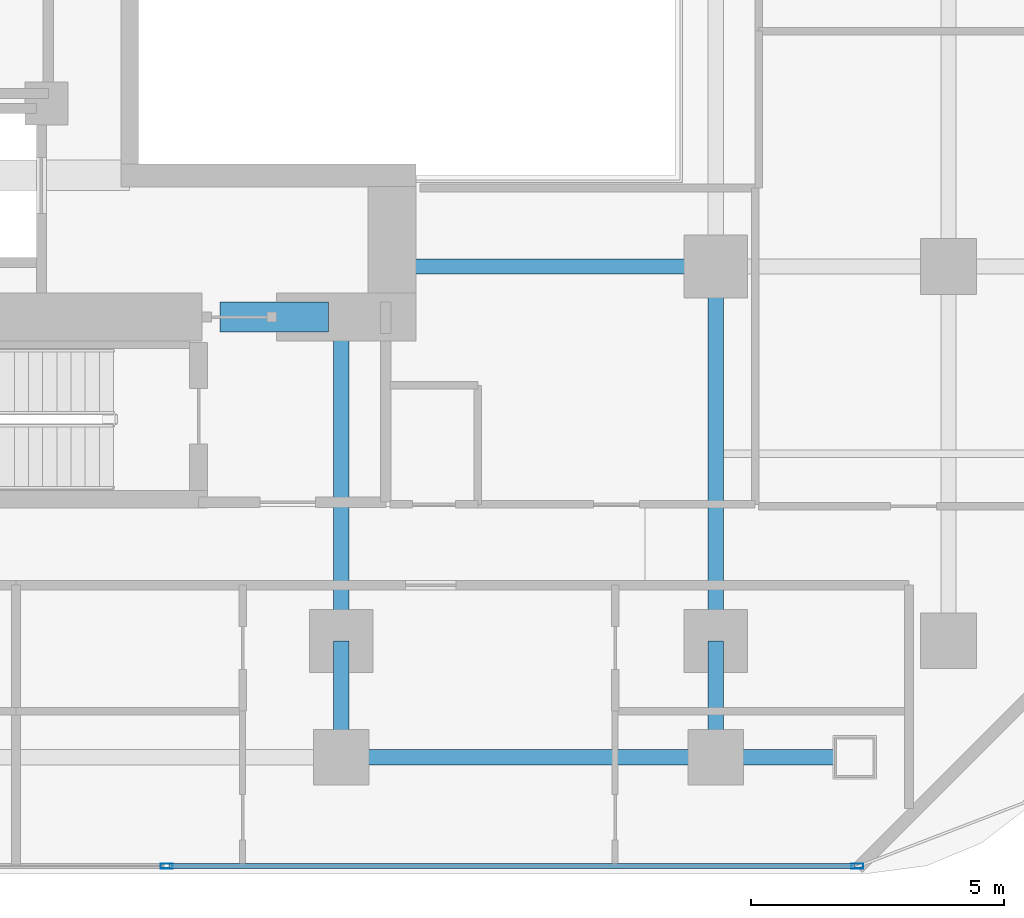
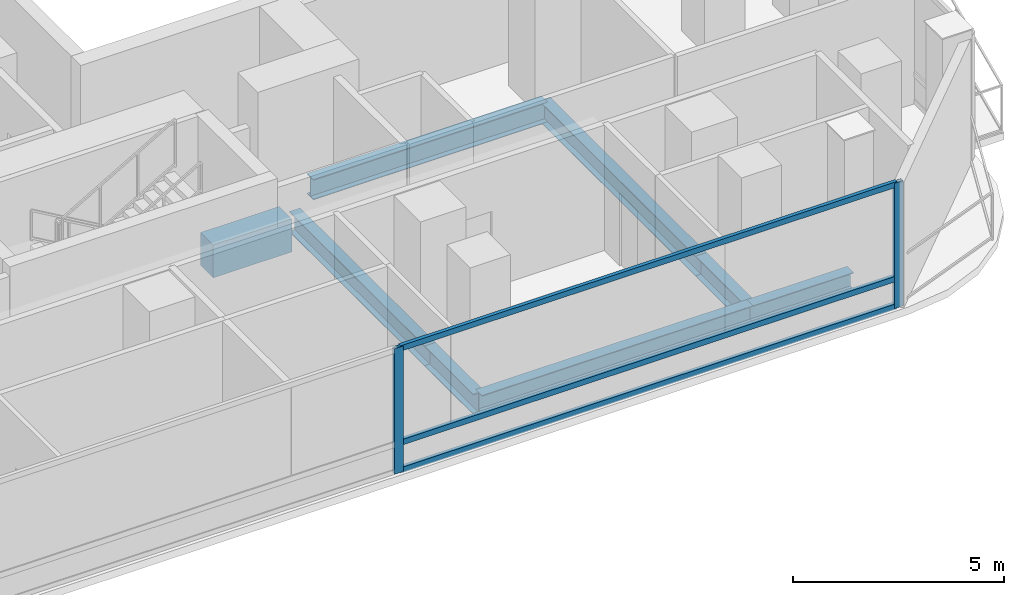
# One storey, part 8 of 28: 8 beams, 5 members, 1 element without a shape of its own.
"""IFC4 building model written with IfcOpenShell, lengths in metres."""

from ifc_helpers import new_model, si_unit, direction, frame, origin, origin_2d, place, context, subcontext, project, spatial, rectangle, hollow_rectangle, i_section, extrude, material, layer, layer_set, material_profile, profile_set, type_object, element, aggregate, save


model = new_model("IFC4")

# Units and contexts
model_context = context("Model", 3, precision=1e-05, world=origin(), true_north=direction((0.0, 1.0)))
body_context = subcontext(model_context, "Body", "Model", "MODEL_VIEW")
ifc_project = project(units=[si_unit("LENGTHUNIT", "METRE"), si_unit("AREAUNIT", "SQUARE_METRE"), si_unit("VOLUMEUNIT", "CUBIC_METRE"), si_unit("PLANEANGLEUNIT", "RADIAN"), si_unit("MASSUNIT", "GRAM", prefix="KILO")], contexts=[model_context])

# Site, building, storey
site_placement = place(None, origin())
site = spatial("IfcSite", under=ifc_project, at=site_placement, CompositionType="ELEMENT")
building_placement = place(site_placement, origin())
building = spatial("IfcBuilding", under=site, at=building_placement, Name="Khorvyn Point Tower", CompositionType="ELEMENT")
storey_placement = place(building_placement, frame((0.0, 0.0, 104.699951171875)))
storey = spatial("IfcBuildingStorey", under=building, at=storey_placement, Name="L26", CompositionType="ELEMENT", Elevation=104.699951171875)

# Curtain wall, members
ifc_material_1 = material(Name="Anodised aluminium 6063-T6 and laminated Low-E glass", Category="aluminium")
ifc_layer = layer(ifc_material_1, 0.18994140625)
ifc_layer_set = layer_set([ifc_layer], Name="Stick-Built Finned Residential Curtain Wall CW-SYS-02")
curtain_wall_type = type_object("IfcCurtainWallType", Name="Stick-Built Finned Residential Curtain Wall CW-SYS-02", PredefinedType="NOTDEFINED", material=ifc_layer_set)
curtain_wall_placement = place(storey_placement, origin())
curtain_wall = element("IfcCurtainWall", 1, at=curtain_wall_placement, inside=storey, type_object=curtain_wall_type, Name="Curtain Wall", PredefinedType="NOTDEFINED")
ifc_material_2 = material(Name="Anodised aluminium 6063-T6", Category="aluminium")
ifc_material_profile_1 = material_profile(ifc_material_2, hollow_rectangle(XDim=0.10009765625, YDim=0.239990234375, WallThickness=0.0048828125, at=origin_2d()))
ifc_profile_set_1 = profile_set([ifc_material_profile_1], Name="Anodised aluminium 6063-T6 ALU-MUL-100x240")
member_type_1 = type_object("IfcMemberType", Name="Anodised Aluminium 6063-T6 Mullion ALU-MUL-100x240", PredefinedType="MULLION", material=ifc_profile_set_1)
member_1_placement = place(storey_placement, frame((17.60009765625, -19.25, 0.0), z_axis=(0.0, 0.0, 1.0), x_axis=(0.0, -1.0, 0.0)))
member_1 = element("IfcMember", 2, at=member_1_placement, type_object=member_type_1, Name="Transom", PredefinedType="MULLION", context=body_context, shape_type="SweptSolid", body=[
    extrude(hollow_rectangle(XDim=0.10009765625, YDim=0.239990234375, WallThickness=0.0048828125, at=origin_2d()), origin(), (0.0, 0.0, 1.0), 3.6201171875),
])
member_2_placement = place(storey_placement, frame((3.949951171875, -19.25, 0.0), z_axis=(0.0, 0.0, 1.0), x_axis=(0.0, -1.0, 0.0)))
member_2 = element("IfcMember", 3, at=member_2_placement, type_object=member_type_1, Name="Transom", PredefinedType="MULLION", context=body_context, shape_type="SweptSolid", body=[
    extrude(hollow_rectangle(XDim=0.10009765625, YDim=0.239990234375, WallThickness=0.0048828125, at=origin_2d()), origin(), (0.0, 0.0, 1.0), 3.6201171875),
])
ifc_material_profile_2 = material_profile(ifc_material_2, hollow_rectangle(XDim=0.10009765625, YDim=0.159912109375, WallThickness=0.00439453125, at=origin_2d()))
ifc_profile_set_2 = profile_set([ifc_material_profile_2], Name="Anodised aluminium 6063-T6 ALU-TRN-100x160")
member_type_2 = type_object("IfcMemberType", Name="Anodised Aluminium 6063-T6 Transom ALU-TRN-100x160", PredefinedType="USERDEFINED", material=ifc_profile_set_2)
member_3_placement = place(storey_placement, frame((17.550048828125, -19.25, 0.050048828125), z_axis=(-1.0, 0.0, 0.0), x_axis=(0.0, -1.0, 0.0)))
member_3 = element("IfcMember", 4, at=member_3_placement, type_object=member_type_2, Name="Transom", ObjectType="TRANSOM", PredefinedType="USERDEFINED", context=body_context, shape_type="SweptSolid", body=[
    extrude(hollow_rectangle(XDim=0.10009765625, YDim=0.159912109375, WallThickness=0.00439453125, at=origin_2d()), origin(), (0.0, 0.0, 1.0), 13.550048828125),
])
member_4_placement = place(storey_placement, frame((17.550048828125, -19.25, 0.85009765625), z_axis=(-1.0, 0.0, 0.0), x_axis=(0.0, -1.0, 0.0)))
member_4 = element("IfcMember", 5, at=member_4_placement, type_object=member_type_2, Name="Transom", ObjectType="TRANSOM", PredefinedType="USERDEFINED", context=body_context, shape_type="SweptSolid", body=[
    extrude(hollow_rectangle(XDim=0.10009765625, YDim=0.159912109375, WallThickness=0.00439453125, at=origin_2d()), origin(), (0.0, 0.0, 1.0), 13.550048828125),
])
member_5_placement = place(storey_placement, frame((17.550048828125, -19.25, 3.570068359375), z_axis=(-1.0, 0.0, 0.0), x_axis=(0.0, -1.0, 0.0)))
member_5 = element("IfcMember", 6, at=member_5_placement, type_object=member_type_2, Name="Transom", ObjectType="TRANSOM", PredefinedType="USERDEFINED", context=body_context, shape_type="SweptSolid", body=[
    extrude(hollow_rectangle(XDim=0.10009765625, YDim=0.159912109375, WallThickness=0.00439453125, at=origin_2d()), origin(), (0.0, 0.0, 1.0), 13.550048828125),
])
aggregate(curtain_wall, [member_1, member_2, member_3, member_4, member_5])

# Beams
ifc_material_3 = material(Name="Concrete C50/60", Category="concrete")
ifc_material_profile_3 = material_profile(ifc_material_3, rectangle(XDim=0.60009765625, YDim=0.949951171875, at=origin_2d()))
ifc_profile_set_3 = profile_set([ifc_material_profile_3], Name="Concrete C50/60 RC600x950")
beam_type_1 = type_object("IfcBeamType", Name="Concrete C50/60 Beam RC600x950", PredefinedType="BEAM", material=ifc_profile_set_3)
beam_1_placement = place(storey_placement, frame((5.0, -8.39990234375, -0.695068359375), z_axis=(1.0, 0.0, 0.0), x_axis=(0.0, 1.0, 0.0)))
element("IfcBeam", 7, at=beam_1_placement, inside=storey, type_object=beam_type_1, Name="L26 Core Southeast Portal Coupling Beam", PredefinedType="BEAM", context=body_context, shape_type="SweptSolid", body=[
    extrude(rectangle(XDim=0.60009765625, YDim=0.949951171875, at=origin_2d()), origin(), (0.0, 0.0, 1.0), 2.14990234375),
])
ifc_material_4 = material(Name="Steel S355", Category="steel")
ifc_material_profile_4 = material_profile(ifc_material_4, i_section(OverallWidth=0.300048828125, OverallDepth=0.587890625, WebThickness=0.011962890625, FlangeThickness=0.02001953125, at=origin_2d()))
ifc_profile_set_4 = profile_set([ifc_material_profile_4], Name="Steel S355 H588x300x12x20")
beam_type_2 = type_object("IfcBeamType", Name="Steel S355 Beam H588x300x12x20", PredefinedType="BEAM", material=ifc_profile_set_4)
beam_2_placement = place(storey_placement, frame((8.39990234375, -7.39990234375, -0.513916015625), z_axis=(1.0, 0.0, 0.0), x_axis=(0.0, 1.0, 0.0)))
element("IfcBeam", 8, at=beam_2_placement, inside=storey, type_object=beam_type_2, Name="Beam", PredefinedType="BEAM", context=body_context, shape_type="SweptSolid", body=[
    extrude(i_section(OverallWidth=0.300048828125, OverallDepth=0.587890625, WebThickness=0.011962890625, FlangeThickness=0.02001953125, at=origin_2d()), origin(), (0.0, 0.0, 1.0), 6.400146484375),
])
beam_3_placement = place(storey_placement, frame((14.800048828125, -17.10009765625, -0.513916015625), z_axis=(0.0, 1.0, 0.0), x_axis=(-1.0, 0.0, 0.0)))
element("IfcBeam", 9, at=beam_3_placement, inside=storey, type_object=beam_type_2, Name="Beam", PredefinedType="BEAM", context=body_context, shape_type="SweptSolid", body=[
    extrude(i_section(OverallWidth=0.300048828125, OverallDepth=0.587890625, WebThickness=0.011962890625, FlangeThickness=0.02001953125, at=origin_2d()), origin(), (0.0, 0.0, 1.0), 2.300048828125),
])
beam_4_placement = place(storey_placement, frame((14.800048828125, -14.800048828125, -0.513916015625), z_axis=(0.0, 1.0, 0.0), x_axis=(-1.0, 0.0, 0.0)))
element("IfcBeam", 10, at=beam_4_placement, inside=storey, type_object=beam_type_2, Name="Beam", PredefinedType="BEAM", context=body_context, shape_type="SweptSolid", body=[
    extrude(i_section(OverallWidth=0.300048828125, OverallDepth=0.587890625, WebThickness=0.011962890625, FlangeThickness=0.02001953125, at=origin_2d()), origin(), (0.0, 0.0, 1.0), 7.400146484375),
])
beam_5_placement = place(storey_placement, frame((7.39990234375, -17.10009765625, -0.513916015625), z_axis=(0.0, 1.0, 0.0), x_axis=(-1.0, 0.0, 0.0)))
element("IfcBeam", 11, at=beam_5_placement, inside=storey, type_object=beam_type_2, Name="Beam", PredefinedType="BEAM", context=body_context, shape_type="SweptSolid", body=[
    extrude(i_section(OverallWidth=0.300048828125, OverallDepth=0.587890625, WebThickness=0.011962890625, FlangeThickness=0.02001953125, at=origin_2d()), origin(), (0.0, 0.0, 1.0), 2.300048828125),
])
beam_6_placement = place(storey_placement, frame((7.39990234375, -14.800048828125, -0.513916015625), z_axis=(0.0, 1.0, 0.0), x_axis=(-1.0, 0.0, 0.0)))
element("IfcBeam", 12, at=beam_6_placement, inside=storey, type_object=beam_type_2, Name="Beam", PredefinedType="BEAM", context=body_context, shape_type="SweptSolid", body=[
    extrude(i_section(OverallWidth=0.300048828125, OverallDepth=0.587890625, WebThickness=0.011962890625, FlangeThickness=0.02001953125, at=origin_2d()), origin(), (0.0, 0.0, 1.0), 6.400146484375),
])
ifc_material_profile_5 = material_profile(ifc_material_4, i_section(OverallWidth=0.300048828125, OverallDepth=0.488037109375, WebThickness=0.010986328125, FlangeThickness=0.01806640625, at=origin_2d()))
ifc_profile_set_5 = profile_set([ifc_material_profile_5], Name="Steel S355 H488x300x11x18")
beam_type_3 = type_object("IfcBeamType", Name="Steel S355 Spandrel H488x300x11x18", PredefinedType="SPANDREL", material=ifc_profile_set_5)
beam_7_placement = place(storey_placement, frame((7.39990234375, -17.10009765625, -0.4638671875), z_axis=(1.0, 0.0, 0.0), x_axis=(0.0, 1.0, 0.0)))
element("IfcBeam", 13, at=beam_7_placement, inside=storey, type_object=beam_type_3, Name="Beam", PredefinedType="SPANDREL", context=body_context, shape_type="SweptSolid", body=[
    extrude(i_section(OverallWidth=0.300048828125, OverallDepth=0.488037109375, WebThickness=0.010986328125, FlangeThickness=0.01806640625, at=origin_2d()), origin(), (0.0, 0.0, 1.0), 7.400146484375),
])
beam_8_placement = place(storey_placement, frame((14.800048828125, -17.10009765625, -0.4638671875), z_axis=(1.0, 0.0, 0.0), x_axis=(0.0, 1.0, 0.0)))
element("IfcBeam", 14, at=beam_8_placement, inside=storey, type_object=beam_type_3, Name="Beam", PredefinedType="SPANDREL", context=body_context, shape_type="SweptSolid", body=[
    extrude(i_section(OverallWidth=0.300048828125, OverallDepth=0.488037109375, WebThickness=0.010986328125, FlangeThickness=0.01806640625, at=origin_2d()), origin(), (0.0, 0.0, 1.0), 2.75),
])

save(model, "model.ifc")
